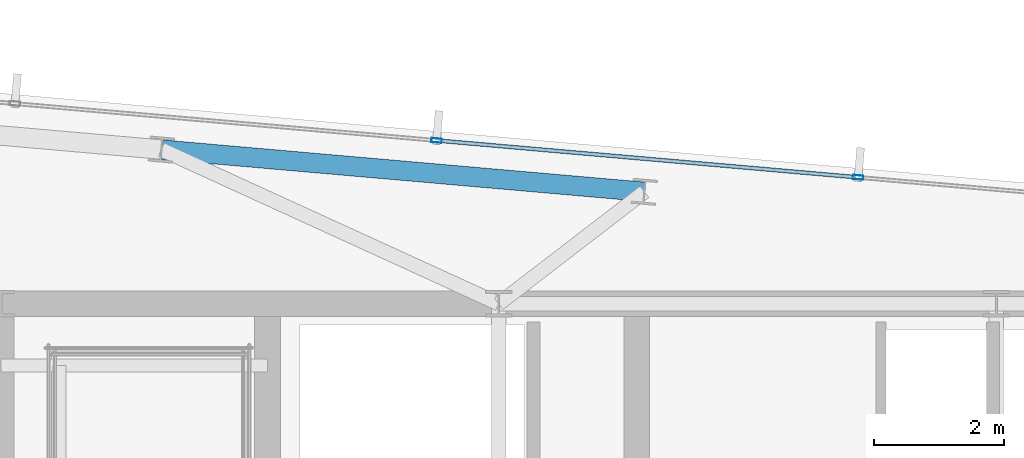
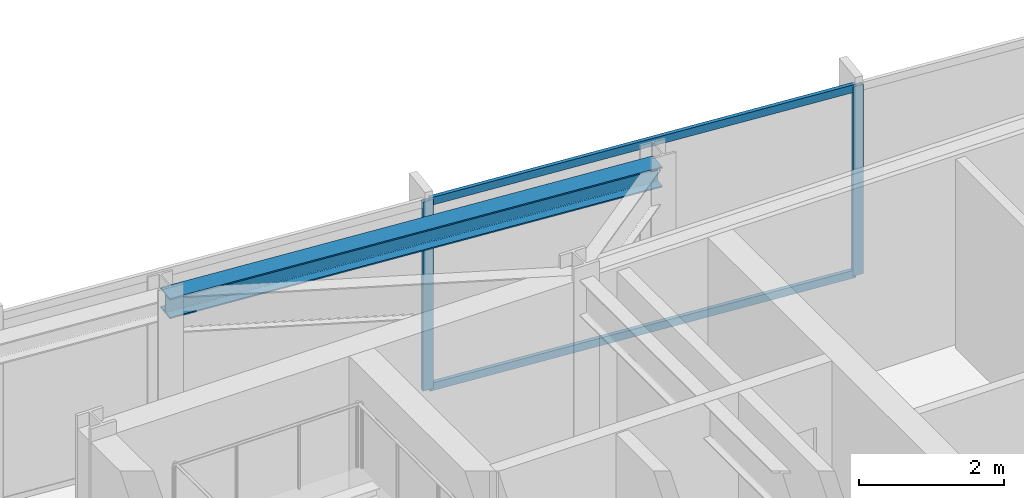
# One storey, part 25 of 32: 4 members, 1 beam, 1 element without a shape of its own.
"""IFC4 building model written with IfcOpenShell, lengths in metres."""

from ifc_helpers import new_model, si_unit, direction, frame, origin, origin_2d, place, context, subcontext, project, spatial, hollow_rectangle, i_section, extrude, material, material_profile, profile_set, type_object, element, aggregate, save


model = new_model("IFC4")

# Units and contexts
model_context = context("Model", 3, precision=1e-05, world=origin(), true_north=direction((0.0, 1.0)))
body_context = subcontext(model_context, "Body", "Model", "MODEL_VIEW")
ifc_project = project(units=[si_unit("LENGTHUNIT", "METRE"), si_unit("AREAUNIT", "SQUARE_METRE"), si_unit("VOLUMEUNIT", "CUBIC_METRE"), si_unit("PLANEANGLEUNIT", "RADIAN"), si_unit("MASSUNIT", "GRAM", prefix="KILO")], contexts=[model_context])

# Site, building, storey
site_placement = place(None, origin())
site = spatial("IfcSite", under=ifc_project, at=site_placement, CompositionType="ELEMENT")
building_placement = place(site_placement, origin())
building = spatial("IfcBuilding", under=site, at=building_placement, Name="Yelkora Congress Tower", CompositionType="ELEMENT")
storey_placement = place(building_placement, frame((0.0, 0.0, 262.5)))
storey = spatial("IfcBuildingStorey", under=building, at=storey_placement, Name="L73", CompositionType="ELEMENT", Elevation=262.5)

# Beam
ifc_material_1 = material(Name="Steel S355J2", Category="steel")
ifc_material_profile_1 = material_profile(ifc_material_1, i_section(OverallWidth=0.300048828125, OverallDepth=0.340087890625, WebThickness=0.011962890625, FlangeThickness=0.021484375, FilletRadius=0.027099609375, at=origin_2d()), Name="HEB 340")
ifc_profile_set_1 = profile_set([ifc_material_profile_1], Name="Steel S355J2")
beam_type = type_object("IfcBeamType", Name="BM-SPAN-HEB340", PredefinedType="SPANDREL", material=ifc_profile_set_1)
beam_placement = place(storey_placement, frame((32.968505859375, 47.927490234375, 3.010009765625), z_axis=(-0.996195771192, 0.087143476284, 0.0), x_axis=(-0.087143476284, -0.996195771192, 0.0)))
element("IfcBeam", 1, at=beam_placement, inside=storey, type_object=beam_type, Name="L73 Perimeter Beam 10", PredefinedType="SPANDREL", context=body_context, shape_type="SweptSolid", body=[
    extrude(i_section(OverallWidth=0.300048828125, OverallDepth=0.340087890625, WebThickness=0.011962890625, FlangeThickness=0.021484375, FilletRadius=0.027099609375, at=origin_2d()), origin(), (0.0, 0.0, 1.0), 7.483154296875),
])

# Curtain wall, members
ifc_material_2 = material(Name="Anodised aluminium and insulated glass", Category="aluminium")
curtain_wall_type = type_object("IfcCurtainWallType", Name="CW-SYS-B5", PredefinedType="NOTDEFINED", material=ifc_material_2)
curtain_wall_placement = place(storey_placement, origin())
curtain_wall = element("IfcCurtainWall", 2, at=curtain_wall_placement, inside=storey, type_object=curtain_wall_type, Name="L73 Unitised Curtain Wall 10", PredefinedType="NOTDEFINED")
ifc_material_3 = material(Name="Anodised aluminium 6063-T6", Category="aluminium")
ifc_material_profile_2 = material_profile(ifc_material_3, hollow_rectangle(XDim=0.06494140625, YDim=0.159912109375, WallThickness=0.00390625, at=origin_2d()), Name="ALU 65x160x4")
ifc_profile_set_2 = profile_set([ifc_material_profile_2], Name="Anodised aluminium 6063-T6")
member_type_1 = type_object("IfcMemberType", Name="MEM-ML-B5", PredefinedType="MULLION", material=ifc_profile_set_2)
member_1_placement = place(storey_placement, frame((29.759765625, 48.719970703125, 0.0), z_axis=(0.0, 0.0, 1.0), x_axis=(0.087156639893, 0.996194619601, 0.0)))
member_1 = element("IfcMember", 3, at=member_1_placement, type_object=member_type_1, Name="CW-B5 mullion 4", PredefinedType="MULLION", context=body_context, shape_type="SweptSolid", body=[
    extrude(hollow_rectangle(XDim=0.06494140625, YDim=0.159912109375, WallThickness=0.00390625, at=origin_2d()), origin(), (0.0, 0.0, 1.0), 3.179931640625),
])
member_2_placement = place(storey_placement, frame((36.266357421875, 48.15087890625, 0.0), z_axis=(0.0, 0.0, 1.0), x_axis=(0.087156639893, 0.996194619601, 0.0)))
member_2 = element("IfcMember", 4, at=member_2_placement, type_object=member_type_1, Name="CW-B5 mullion 5", PredefinedType="MULLION", context=body_context, shape_type="SweptSolid", body=[
    extrude(hollow_rectangle(XDim=0.06494140625, YDim=0.159912109375, WallThickness=0.00390625, at=origin_2d()), origin(), (0.0, 0.0, 1.0), 3.179931640625),
])
ifc_material_profile_3 = material_profile(ifc_material_3, hollow_rectangle(XDim=0.06005859375, YDim=0.1298828125, WallThickness=0.00390625, at=origin_2d()), Name="ALU 60x130x4")
ifc_profile_set_3 = profile_set([ifc_material_profile_3], Name="Anodised aluminium 6063-T6")
member_type_2 = type_object("IfcMemberType", Name="MEM-TR-B5", PredefinedType="USERDEFINED", material=ifc_profile_set_3)
member_3_placement = place(storey_placement, frame((29.7919921875, 48.71728515625, 0.030029296875), z_axis=(0.996192979814, -0.08717538052, 0.0), x_axis=(0.08717538052, 0.996192979814, 0.0)))
member_3 = element("IfcMember", 5, at=member_3_placement, type_object=member_type_2, Name="CW-B5 transom 4.1", ObjectType="TRANSOM", PredefinedType="USERDEFINED", context=body_context, shape_type="SweptSolid", body=[
    extrude(hollow_rectangle(XDim=0.06005859375, YDim=0.1298828125, WallThickness=0.00390625, at=origin_2d()), origin(), (0.0, 0.0, 1.0), 6.466552734375),
])
member_4_placement = place(storey_placement, frame((29.7919921875, 48.71728515625, 3.14990234375), z_axis=(0.996192979814, -0.08717538052, 0.0), x_axis=(0.08717538052, 0.996192979814, 0.0)))
member_4 = element("IfcMember", 6, at=member_4_placement, type_object=member_type_2, Name="CW-B5 transom 4.2", ObjectType="TRANSOM", PredefinedType="USERDEFINED", context=body_context, shape_type="SweptSolid", body=[
    extrude(hollow_rectangle(XDim=0.06005859375, YDim=0.1298828125, WallThickness=0.00390625, at=origin_2d()), origin(), (0.0, 0.0, 1.0), 6.466552734375),
])
aggregate(curtain_wall, [member_1, member_2, member_3, member_4])

save(model, "model.ifc")
